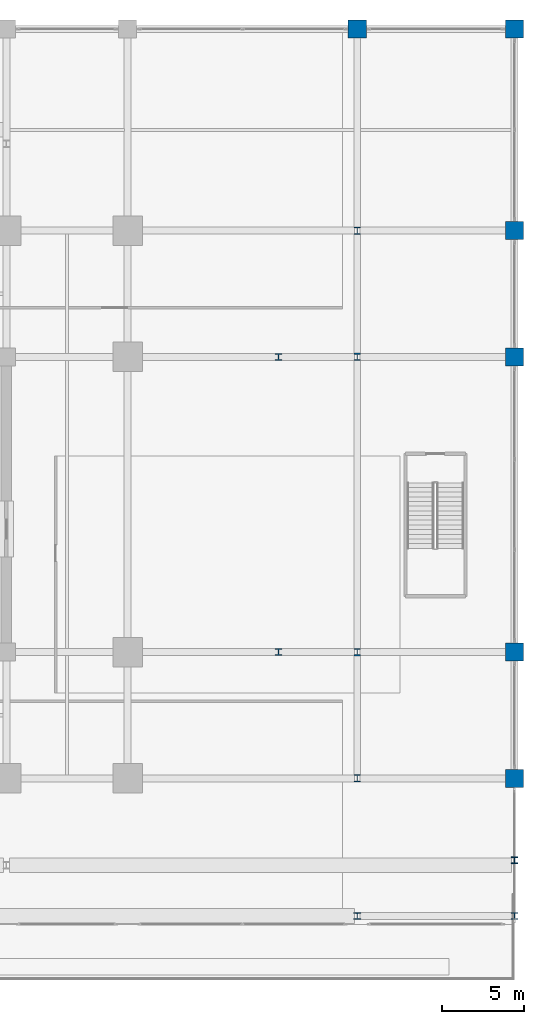
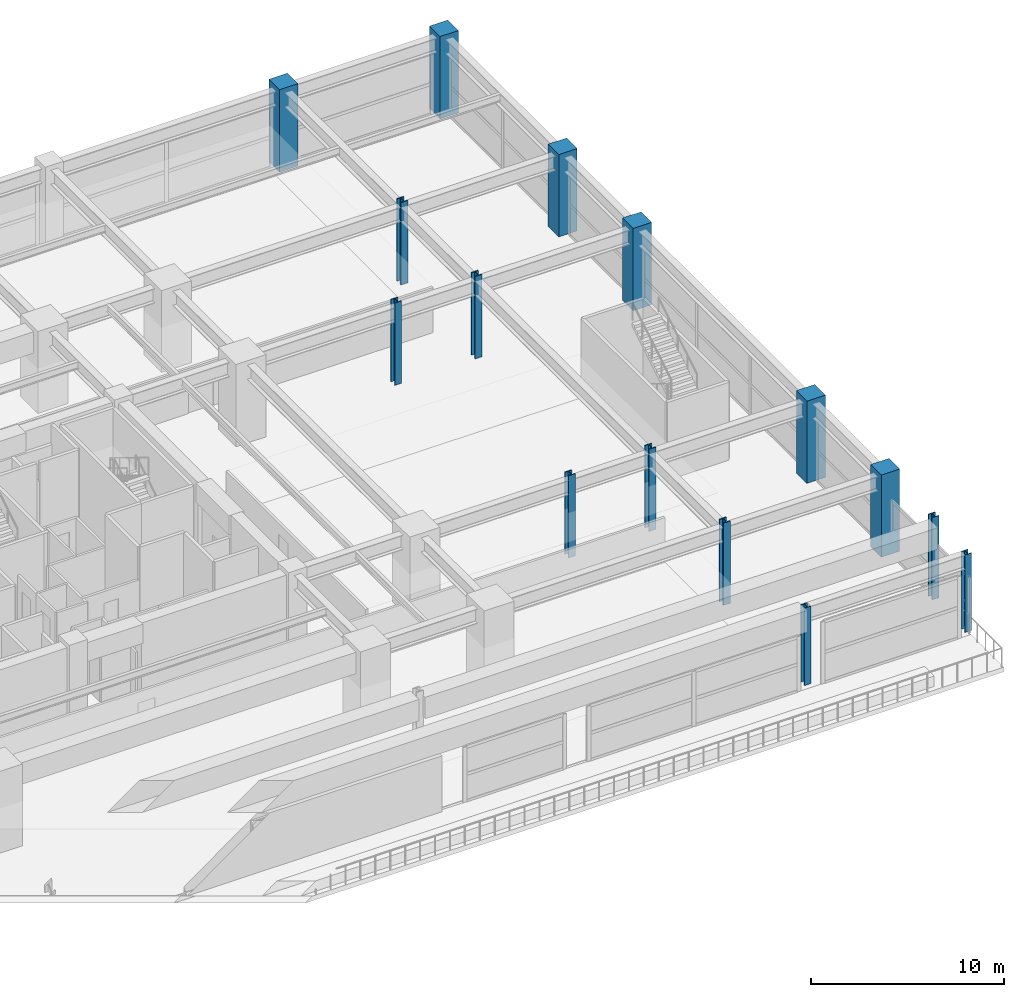
# One storey, part 3 of 45: 15 columns.
"""IFC4 building model written with IfcOpenShell, lengths in metres."""

from ifc_helpers import new_model, si_unit, direction, frame, origin, origin_2d, place, context, subcontext, project, spatial, rectangle, i_section, extrude, material, material_profile, profile_set, type_object, element, save


model = new_model("IFC4")

# Units and contexts
model_context = context("Model", 3, precision=1e-05, world=origin(), true_north=direction((0.0, 1.0)))
body_context = subcontext(model_context, "Body", "Model", "MODEL_VIEW")
ifc_project = project(units=[si_unit("LENGTHUNIT", "METRE"), si_unit("AREAUNIT", "SQUARE_METRE"), si_unit("VOLUMEUNIT", "CUBIC_METRE"), si_unit("PLANEANGLEUNIT", "RADIAN"), si_unit("MASSUNIT", "GRAM", prefix="KILO")], contexts=[model_context])

# Site, building, storey
site_placement = place(None, origin())
site = spatial("IfcSite", under=ifc_project, at=site_placement, CompositionType="ELEMENT")
building_placement = place(site_placement, origin())
building = spatial("IfcBuilding", under=site, at=building_placement, Name="Kovane Verandah Tower", CompositionType="ELEMENT")
storey_placement = place(building_placement, frame((0.0, 0.0, 6.0)))
storey = spatial("IfcBuildingStorey", under=building, at=storey_placement, Name="L01", CompositionType="ELEMENT", Elevation=6.0)

# Columns
ifc_material_1 = material(Name="Concrete C60/75", Category="concrete")
ifc_material_profile_1 = material_profile(ifc_material_1, rectangle(XDim=1.10009765625, YDim=1.10009765625, at=origin_2d()), Name="RC1100x1100")
ifc_profile_set_1 = profile_set([ifc_material_profile_1], Name="Concrete C60/75")
column_type_1 = type_object("IfcColumnType", Name="COL-POD1100", PredefinedType="COLUMN", material=ifc_profile_set_1)
for number, where, z_axis, x_axis, name in (
    (1, (82.0, 10.800048828125, 0.0), (0.0, 0.0, 1.0), (1.0, 0.0, 0.0), "L01 Podium Column PC-E1"),
    (2, (82.0, 18.5, 0.0), (0.0, 0.0, 1.0), (1.0, 0.0, 0.0), "L01 Podium Column PC-E2"),
    (3, (82.0, 36.5, 0.0), (0.0, 0.0, 1.0), (1.0, 0.0, 0.0), "L01 Podium Column PC-E3"),
    (4, (82.0, 44.199951171875, 0.0), (0.0, 0.0, 1.0), (1.0, 0.0, 0.0), "L01 Podium Column PC-E4"),
    (5, (82.0, 56.5, 0.0), (0.0, 0.0, 1.0), (1.0, 0.0, 0.0), "L01 Podium Column PC-E5"),
    (6, (72.39990234375, 56.5, 0.0), (0.0, 0.0, 1.0), (1.0, 0.0, 0.0), "L01 Podium Column PC-N6"),
):
    element("IfcColumn", number, at=place(storey_placement, frame(where, z_axis=z_axis, x_axis=x_axis)), inside=storey, type_object=column_type_1, Name=name, PredefinedType="COLUMN", context=body_context, shape_type="SweptSolid", body=[
        extrude(rectangle(XDim=1.10009765625, YDim=1.10009765625, at=origin_2d()), origin(), (0.0, 0.0, 1.0), 5.199951171875),
    ])
ifc_material_2 = material(Name="Steel S460", Category="steel")
ifc_material_profile_2 = material_profile(ifc_material_2, i_section(OverallWidth=0.403076171875, OverallDepth=0.406494140625, WebThickness=0.026611328125, FlangeThickness=0.04296875, FilletRadius=0.01513671875, at=origin_2d()), Name="UC356x406x340")
ifc_profile_set_2 = profile_set([ifc_material_profile_2], Name="Steel S460")
column_type_2 = type_object("IfcColumnType", Name="COL-UC340", PredefinedType="COLUMN", material=ifc_profile_set_2)
for number, where, z_axis, x_axis, name in (
    (7, (72.39990234375, 2.39990234375, 0.0), (0.0, 0.0, 1.0), (1.0, 0.0, 0.0), "L01 South Terrace Step Column S1-3"),
    (8, (82.0, 2.39990234375, 0.0), (0.0, 0.0, 1.0), (1.0, 0.0, 0.0), "L01 South Terrace Step Column S1-4"),
):
    element("IfcColumn", number, at=place(storey_placement, frame(where, z_axis=z_axis, x_axis=x_axis)), inside=storey, type_object=column_type_2, Name=name, PredefinedType="COLUMN", context=body_context, shape_type="SweptSolid", body=[
        extrude(i_section(OverallWidth=0.403076171875, OverallDepth=0.406494140625, WebThickness=0.026611328125, FlangeThickness=0.04296875, FilletRadius=0.01513671875, at=origin_2d()), origin(), (0.0, 0.0, 1.0), 4.89990234375),
    ])
column_placement = place(storey_placement, frame((82.0, 5.800048828125, 0.0), z_axis=(0.0, 0.0, 1.0), x_axis=(1.0, 0.0, 0.0)))
element("IfcColumn", 9, at=column_placement, inside=storey, type_object=column_type_2, Name="L01 South Terrace Step Column S2-2", PredefinedType="COLUMN", context=body_context, shape_type="SweptSolid", body=[
    extrude(i_section(OverallWidth=0.403076171875, OverallDepth=0.406494140625, WebThickness=0.026611328125, FlangeThickness=0.04296875, FilletRadius=0.01513671875, at=origin_2d()), origin(), (0.0, 0.0, 1.0), 5.199951171875),
])
ifc_material_profile_3 = material_profile(ifc_material_2, i_section(OverallWidth=0.412109375, OverallDepth=0.4365234375, WebThickness=0.035888671875, FlangeThickness=0.05810546875, FilletRadius=0.01513671875, at=origin_2d()), Name="UC356x406x467")
ifc_profile_set_3 = profile_set([ifc_material_profile_3], Name="Steel S460")
column_type_3 = type_object("IfcColumnType", Name="COL-UC467", PredefinedType="COLUMN", material=ifc_profile_set_3)
for number, where, z_axis, x_axis, name in (
    (10, (67.60009765625, 18.5, 0.0), (0.0, 0.0, 1.0), (1.0, 0.0, 0.0), "L01 Verandah Perimeter Column VC-E1"),
    (11, (67.60009765625, 36.5, 0.0), (0.0, 0.0, 1.0), (1.0, 0.0, 0.0), "L01 Verandah Perimeter Column VC-E2"),
):
    element("IfcColumn", number, at=place(storey_placement, frame(where, z_axis=z_axis, x_axis=x_axis)), inside=storey, type_object=column_type_3, Name=name, PredefinedType="COLUMN", context=body_context, shape_type="SweptSolid", body=[
        extrude(i_section(OverallWidth=0.412109375, OverallDepth=0.4365234375, WebThickness=0.035888671875, FlangeThickness=0.05810546875, FilletRadius=0.01513671875, at=origin_2d()), origin(), (0.0, 0.0, 1.0), 5.199951171875),
    ])
ifc_material_3 = material(Name="Steel S355", Category="steel")
ifc_material_profile_4 = material_profile(ifc_material_3, i_section(OverallWidth=0.41845703125, OverallDepth=0.45556640625, WebThickness=0.0419921875, FlangeThickness=0.0673828125, FilletRadius=0.01513671875, at=origin_2d()), Name="UC356x406x551")
ifc_profile_set_4 = profile_set([ifc_material_profile_4], Name="Steel S355")
column_type_4 = type_object("IfcColumnType", Name="COL-UC551", PredefinedType="COLUMN", material=ifc_profile_set_4)
for number, where, z_axis, x_axis, name in (
    (12, (72.39990234375, 10.800048828125, 0.0), (0.0, 0.0, 1.0), (1.0, 0.0, 0.0), "L01 Podium Column PC-ME1"),
    (13, (72.39990234375, 18.5, 0.0), (0.0, 0.0, 1.0), (1.0, 0.0, 0.0), "L01 Podium Column PC-ME2"),
    (14, (72.39990234375, 36.5, 0.0), (0.0, 0.0, 1.0), (1.0, 0.0, 0.0), "L01 Podium Column PC-ME3"),
    (15, (72.39990234375, 44.199951171875, 0.0), (0.0, 0.0, 1.0), (1.0, 0.0, 0.0), "L01 Podium Column PC-ME4"),
):
    element("IfcColumn", number, at=place(storey_placement, frame(where, z_axis=z_axis, x_axis=x_axis)), inside=storey, type_object=column_type_4, Name=name, PredefinedType="COLUMN", context=body_context, shape_type="SweptSolid", body=[
        extrude(i_section(OverallWidth=0.41845703125, OverallDepth=0.45556640625, WebThickness=0.0419921875, FlangeThickness=0.0673828125, FilletRadius=0.01513671875, at=origin_2d()), origin(), (0.0, 0.0, 1.0), 5.199951171875),
    ])

save(model, "model.ifc")
